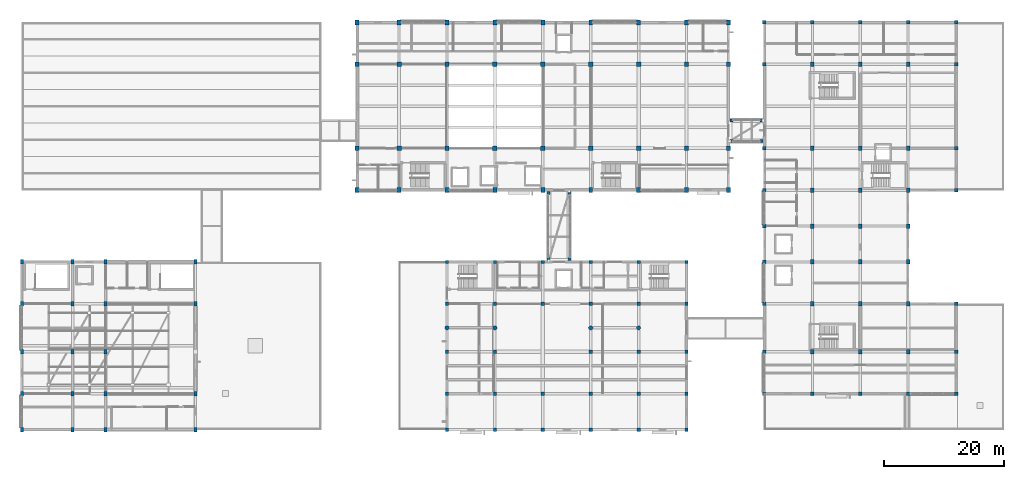
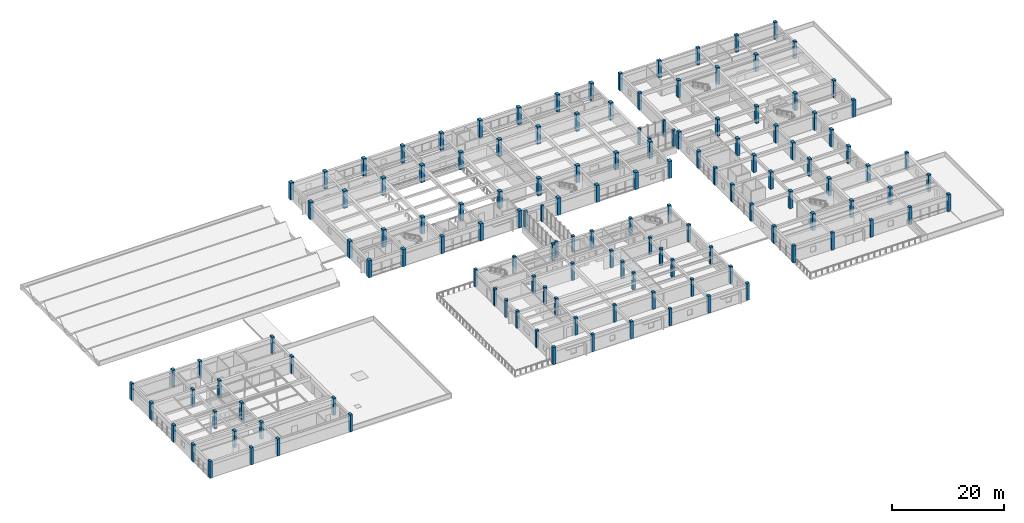
# One storey, part 1 of 42: 139 columns.
"""IFC4 building model written with IfcOpenShell, lengths in metres."""

from ifc_helpers import new_model, si_unit, direction, frame, origin, origin_2d, place, context, subcontext, project, spatial, rectangle, circle, extrude, material, material_profile, profile_set, type_object, element, save


model = new_model("IFC4")

# Units and contexts
model_context = context("Model", 3, precision=1e-05, world=origin(), true_north=direction((0.0, 1.0)))
body_context = subcontext(model_context, "Body", "Model", "MODEL_VIEW")
ifc_project = project(units=[si_unit("LENGTHUNIT", "METRE"), si_unit("AREAUNIT", "SQUARE_METRE"), si_unit("VOLUMEUNIT", "CUBIC_METRE"), si_unit("PLANEANGLEUNIT", "RADIAN"), si_unit("MASSUNIT", "GRAM", prefix="KILO")], contexts=[model_context])

# Site, building, storey
site_placement = place(None, origin())
site = spatial("IfcSite", under=ifc_project, at=site_placement, CompositionType="ELEMENT")
building_placement = place(site_placement, origin())
building = spatial("IfcBuilding", under=site, at=building_placement, Name="Naurynzar Civic Courthouse", CompositionType="ELEMENT")
storey_placement = place(building_placement, frame((0.0, 0.0, 18.300048828125)))
storey = spatial("IfcBuildingStorey", under=building, at=storey_placement, Name="L05", CompositionType="ELEMENT", Elevation=18.300048828125)

# Columns
ifc_material_1 = material(Name="Concrete C40/50", Category="concrete")
ifc_material_profile_1 = material_profile(ifc_material_1, rectangle(XDim=0.5, YDim=0.5, at=origin_2d()), Name="RC 500x500")
ifc_profile_set_1 = profile_set([ifc_material_profile_1], Name="Concrete C40/50")
column_type_1 = type_object("IfcColumnType", Name="COL-RC-500x500", PredefinedType="COLUMN", material=ifc_profile_set_1)
for number, where, z_axis, x_axis, name in (
    (1, (93.969970703125, 32.469970703125, 0.0), (0.0, 0.0, 1.0), (1.0, 0.0, 0.0), "BR-C1 roof portal post 1"),
    (2, (97.429931640625, 32.469970703125, 0.0), (0.0, 0.0, 1.0), (1.0, 0.0, 0.0), "BR-C1 roof portal post 2"),
    (3, (93.969970703125, 43.530029296875, 0.0), (0.0, 0.0, 1.0), (1.0, 0.0, 0.0), "BR-C1 roof portal post 3"),
    (4, (97.429931640625, 43.530029296875, 0.0), (0.0, 0.0, 1.0), (1.0, 0.0, 0.0), "BR-C1 roof portal post 4"),
    (5, (124.469970703125, 52.169921875, 0.0), (0.0, 0.0, 1.0), (1.0, 0.0, 0.0), "BR-E1 roof portal post 1"),
    (6, (129.530029296875, 52.169921875, 0.0), (0.0, 0.0, 1.0), (1.0, 0.0, 0.0), "BR-E1 roof portal post 2"),
    (7, (124.469970703125, 55.6298828125, 0.0), (0.0, 0.0, 1.0), (1.0, 0.0, 0.0), "BR-E1 roof portal post 3"),
    (8, (129.530029296875, 55.6298828125, 0.0), (0.0, 0.0, 1.0), (1.0, 0.0, 0.0), "BR-E1 roof portal post 4"),
):
    element("IfcColumn", number, at=place(storey_placement, frame(where, z_axis=z_axis, x_axis=x_axis)), inside=storey, type_object=column_type_1, Name=name, PredefinedType="COLUMN", context=body_context, shape_type="SweptSolid", body=[
        extrude(rectangle(XDim=0.5, YDim=0.5, at=origin_2d()), origin(), (0.0, 0.0, 1.0), 3.52001953125),
    ])
ifc_material_2 = material(Name="Concrete C40/50", Category="concrete")
ifc_material_profile_2 = material_profile(ifc_material_2, rectangle(XDim=0.5, YDim=0.75, at=origin_2d()), Name="RC 500x750")
ifc_profile_set_2 = profile_set([ifc_material_profile_2], Name="Concrete C40/50")
column_type_2 = type_object("IfcColumnType", Name="COL-RC-500x750", PredefinedType="COLUMN", material=ifc_profile_set_2)
for number, where, z_axis, x_axis, name in (
    (9, (6.0, 4.0, 0.0), (0.0, 0.0, 1.0), (1.0, 0.0, 0.0), "V4 column (6.0,4.0) L05"),
    (10, (6.0, 10.0, 0.0), (0.0, 0.0, 1.0), (1.0, 0.0, 0.0), "V4 column (6.0,10.0) L05"),
    (11, (6.0, 17.0, 0.0), (0.0, 0.0, 1.0), (1.0, 0.0, 0.0), "V4 column (6.0,17.0) L05"),
    (12, (6.0, 25.0, 0.0), (0.0, 0.0, 1.0), (1.0, 0.0, 0.0), "V4 column (6.0,25.0) L05"),
    (13, (6.0, 32.0, 0.0), (0.0, 0.0, 1.0), (1.0, 0.0, 0.0), "V4 column (6.0,32.0) L05"),
    (14, (14.5, 4.0, 0.0), (0.0, 0.0, 1.0), (1.0, 0.0, 0.0), "V4 column (14.5,4.0) L05"),
    (15, (14.5, 10.0, 0.0), (0.0, 0.0, 1.0), (1.0, 0.0, 0.0), "V4 column (14.5,10.0) L05"),
    (16, (14.5, 17.0, 0.0), (0.0, 0.0, 1.0), (1.0, 0.0, 0.0), "V4 column (14.5,17.0) L05"),
    (17, (14.5, 25.0, 0.0), (0.0, 0.0, 1.0), (1.0, 0.0, 0.0), "V4 column (14.5,25.0) L05"),
    (18, (14.5, 32.0, 0.0), (0.0, 0.0, 1.0), (1.0, 0.0, 0.0), "V4 column (14.5,32.0) L05"),
    (19, (20.0, 4.0, 0.0), (0.0, 0.0, 1.0), (1.0, 0.0, 0.0), "V4 column (20.0,4.0) L05"),
    (20, (20.0, 10.0, 0.0), (0.0, 0.0, 1.0), (1.0, 0.0, 0.0), "V4 column (20.0,10.0) L05"),
    (21, (20.0, 17.0, 0.0), (0.0, 0.0, 1.0), (1.0, 0.0, 0.0), "V4 column (20.0,17.0) L05"),
    (22, (20.0, 25.0, 0.0), (0.0, 0.0, 1.0), (1.0, 0.0, 0.0), "V4 column (20.0,25.0) L05"),
    (23, (20.0, 32.0, 0.0), (0.0, 0.0, 1.0), (1.0, 0.0, 0.0), "V4 column (20.0,32.0) L05"),
    (24, (35.0, 4.0, 0.0), (0.0, 0.0, 1.0), (1.0, 0.0, 0.0), "V4 column (35.0,4.0) L05"),
    (25, (35.0, 10.0, 0.0), (0.0, 0.0, 1.0), (1.0, 0.0, 0.0), "V4 column (35.0,10.0) L05"),
    (26, (35.0, 25.0, 0.0), (0.0, 0.0, 1.0), (1.0, 0.0, 0.0), "V4 column (35.0,25.0) L05"),
    (27, (35.0, 32.0, 0.0), (0.0, 0.0, 1.0), (1.0, 0.0, 0.0), "V4 column (35.0,32.0) L05"),
):
    element("IfcColumn", number, at=place(storey_placement, frame(where, z_axis=z_axis, x_axis=x_axis)), inside=storey, type_object=column_type_2, Name=name, PredefinedType="COLUMN", context=body_context, shape_type="SweptSolid", body=[
        extrude(rectangle(XDim=0.5, YDim=0.75, at=origin_2d()), origin(), (0.0, 0.0, 1.0), 3.75),
    ])
ifc_material_3 = material(Name="Concrete C40/50", Category="concrete")
ifc_material_profile_3 = material_profile(ifc_material_3, rectangle(XDim=0.550048828125, YDim=0.550048828125, at=origin_2d()), Name="RC 550x550")
ifc_profile_set_3 = profile_set([ifc_material_profile_3], Name="Concrete C40/50")
column_type_3 = type_object("IfcColumnType", Name="COL-RC-550", PredefinedType="COLUMN", material=ifc_profile_set_3)
for number, where, z_axis, x_axis, name in (
    (28, (77.0, 4.0, 0.0), (0.0, 0.0, 1.0), (1.0, 0.0, 0.0), "V3 column (77.0,4.0) L05"),
    (29, (77.0, 10.0, 0.0), (0.0, 0.0, 1.0), (1.0, 0.0, 0.0), "V3 column (77.0,10.0) L05"),
    (30, (77.0, 17.0, 0.0), (0.0, 0.0, 1.0), (1.0, 0.0, 0.0), "V3 column (77.0,17.0) L05"),
    (31, (77.0, 25.0, 0.0), (0.0, 0.0, 1.0), (1.0, 0.0, 0.0), "V3 column (77.0,25.0) L05"),
    (32, (77.0, 32.0, 0.0), (0.0, 0.0, 1.0), (1.0, 0.0, 0.0), "V3 column (77.0,32.0) L05"),
    (33, (85.0, 4.0, 0.0), (0.0, 0.0, 1.0), (1.0, 0.0, 0.0), "V3 column (85.0,4.0) L05"),
    (34, (85.0, 10.0, 0.0), (0.0, 0.0, 1.0), (1.0, 0.0, 0.0), "V3 column (85.0,10.0) L05"),
    (35, (85.0, 17.0, 0.0), (0.0, 0.0, 1.0), (1.0, 0.0, 0.0), "V3 column (85.0,17.0) L05"),
    (36, (85.0, 25.0, 0.0), (0.0, 0.0, 1.0), (1.0, 0.0, 0.0), "V3 column (85.0,25.0) L05"),
    (37, (85.0, 32.0, 0.0), (0.0, 0.0, 1.0), (1.0, 0.0, 0.0), "V3 column (85.0,32.0) L05"),
    (38, (93.0, 4.0, 0.0), (0.0, 0.0, 1.0), (1.0, 0.0, 0.0), "V3 column (93.0,4.0) L05"),
    (39, (93.0, 10.0, 0.0), (0.0, 0.0, 1.0), (1.0, 0.0, 0.0), "V3 column (93.0,10.0) L05"),
    (40, (93.0, 25.0, 0.0), (0.0, 0.0, 1.0), (1.0, 0.0, 0.0), "V3 column (93.0,25.0) L05"),
    (41, (93.0, 32.0, 0.0), (0.0, 0.0, 1.0), (1.0, 0.0, 0.0), "V3 column (93.0,32.0) L05"),
    (42, (101.0, 4.0, 0.0), (0.0, 0.0, 1.0), (1.0, 0.0, 0.0), "V3 column (101.0,4.0) L05"),
    (43, (101.0, 10.0, 0.0), (0.0, 0.0, 1.0), (1.0, 0.0, 0.0), "V3 column (101.0,10.0) L05"),
    (44, (101.0, 17.0, 0.0), (0.0, 0.0, 1.0), (1.0, 0.0, 0.0), "V3 column (101.0,17.0) L05"),
    (45, (101.0, 25.0, 0.0), (0.0, 0.0, 1.0), (1.0, 0.0, 0.0), "V3 column (101.0,25.0) L05"),
    (46, (101.0, 32.0, 0.0), (0.0, 0.0, 1.0), (1.0, 0.0, 0.0), "V3 column (101.0,32.0) L05"),
    (47, (109.0, 4.0, 0.0), (0.0, 0.0, 1.0), (1.0, 0.0, 0.0), "V3 column (109.0,4.0) L05"),
    (48, (109.0, 10.0, 0.0), (0.0, 0.0, 1.0), (1.0, 0.0, 0.0), "V3 column (109.0,10.0) L05"),
    (49, (109.0, 17.0, 0.0), (0.0, 0.0, 1.0), (1.0, 0.0, 0.0), "V3 column (109.0,17.0) L05"),
    (50, (109.0, 25.0, 0.0), (0.0, 0.0, 1.0), (1.0, 0.0, 0.0), "V3 column (109.0,25.0) L05"),
    (51, (109.0, 32.0, 0.0), (0.0, 0.0, 1.0), (1.0, 0.0, 0.0), "V3 column (109.0,32.0) L05"),
    (52, (117.0, 4.0, 0.0), (0.0, 0.0, 1.0), (1.0, 0.0, 0.0), "V3 column (117.0,4.0) L05"),
    (53, (117.0, 10.0, 0.0), (0.0, 0.0, 1.0), (1.0, 0.0, 0.0), "V3 column (117.0,10.0) L05"),
    (54, (117.0, 17.0, 0.0), (0.0, 0.0, 1.0), (1.0, 0.0, 0.0), "V3 column (117.0,17.0) L05"),
    (55, (117.0, 25.0, 0.0), (0.0, 0.0, 1.0), (1.0, 0.0, 0.0), "V3 column (117.0,25.0) L05"),
    (56, (117.0, 32.0, 0.0), (0.0, 0.0, 1.0), (1.0, 0.0, 0.0), "V3 column (117.0,32.0) L05"),
):
    element("IfcColumn", number, at=place(storey_placement, frame(where, z_axis=z_axis, x_axis=x_axis)), inside=storey, type_object=column_type_3, Name=name, PredefinedType="COLUMN", context=body_context, shape_type="SweptSolid", body=[
        extrude(rectangle(XDim=0.550048828125, YDim=0.550048828125, at=origin_2d()), origin(), (0.0, 0.0, 1.0), 3.75),
    ])
ifc_material_4 = material(Name="Concrete C40/50", Category="concrete")
ifc_material_profile_4 = material_profile(ifc_material_4, rectangle(XDim=0.60009765625, YDim=0.60009765625, at=origin_2d()), Name="RC 600x600")
ifc_profile_set_4 = profile_set([ifc_material_profile_4], Name="Concrete C40/50")
column_type_4 = type_object("IfcColumnType", Name="COL-RC-600", PredefinedType="COLUMN", material=ifc_profile_set_4)
for number, where, z_axis, x_axis, name in (
    (57, (130.0, 10.0, 0.0), (0.0, 0.0, 1.0), (1.0, 0.0, 0.0), "V5 column (130.0,10.0) L05"),
    (58, (130.0, 17.0, 0.0), (0.0, 0.0, 1.0), (1.0, 0.0, 0.0), "V5 column (130.0,17.0) L05"),
    (59, (130.0, 25.0, 0.0), (0.0, 0.0, 1.0), (1.0, 0.0, 0.0), "V5 column (130.0,25.0) L05"),
    (60, (130.0, 32.0, 0.0), (0.0, 0.0, 1.0), (1.0, 0.0, 0.0), "V5 column (130.0,32.0) L05"),
    (61, (130.0, 38.0, 0.0), (0.0, 0.0, 1.0), (1.0, 0.0, 0.0), "V5 column (130.0,38.0) L05"),
    (62, (130.0, 44.0, 0.0), (0.0, 0.0, 1.0), (1.0, 0.0, 0.0), "V5 column (130.0,44.0) L05"),
    (63, (130.0, 51.0, 0.0), (0.0, 0.0, 1.0), (1.0, 0.0, 0.0), "V5 column (130.0,51.0) L05"),
    (64, (130.0, 65.0, 0.0), (0.0, 0.0, 1.0), (1.0, 0.0, 0.0), "V5 column (130.0,65.0) L05"),
    (65, (130.0, 72.0, 0.0), (0.0, 0.0, 1.0), (1.0, 0.0, 0.0), "V5 column (130.0,72.0) L05"),
    (66, (138.0, 10.0, 0.0), (0.0, 0.0, 1.0), (1.0, 0.0, 0.0), "V5 column (138.0,10.0) L05"),
    (67, (138.0, 72.0, 0.0), (0.0, 0.0, 1.0), (1.0, 0.0, 0.0), "V5 column (138.0,72.0) L05"),
    (68, (146.0, 10.0, 0.0), (0.0, 0.0, 1.0), (1.0, 0.0, 0.0), "V5 column (146.0,10.0) L05"),
    (69, (146.0, 72.0, 0.0), (0.0, 0.0, 1.0), (1.0, 0.0, 0.0), "V5 column (146.0,72.0) L05"),
    (70, (154.0, 10.0, 0.0), (0.0, 0.0, 1.0), (1.0, 0.0, 0.0), "V5 column (154.0,10.0) L05"),
    (71, (154.0, 72.0, 0.0), (0.0, 0.0, 1.0), (1.0, 0.0, 0.0), "V5 column (154.0,72.0) L05"),
    (72, (162.0, 10.0, 0.0), (0.0, 0.0, 1.0), (1.0, 0.0, 0.0), "V5 column (162.0,10.0) L05"),
    (73, (162.0, 17.0, 0.0), (0.0, 0.0, 1.0), (1.0, 0.0, 0.0), "V5 column (162.0,17.0) L05"),
    (74, (162.0, 25.0, 0.0), (0.0, 0.0, 1.0), (1.0, 0.0, 0.0), "V5 column (162.0,25.0) L05"),
    (75, (162.0, 44.0, 0.0), (0.0, 0.0, 1.0), (1.0, 0.0, 0.0), "V5 column (162.0,44.0) L05"),
    (76, (162.0, 51.0, 0.0), (0.0, 0.0, 1.0), (1.0, 0.0, 0.0), "V5 column (162.0,51.0) L05"),
    (77, (162.0, 65.0, 0.0), (0.0, 0.0, 1.0), (1.0, 0.0, 0.0), "V5 column (162.0,65.0) L05"),
    (78, (162.0, 72.0, 0.0), (0.0, 0.0, 1.0), (1.0, 0.0, 0.0), "V5 column (162.0,72.0) L05"),
):
    element("IfcColumn", number, at=place(storey_placement, frame(where, z_axis=z_axis, x_axis=x_axis)), inside=storey, type_object=column_type_4, Name=name, PredefinedType="COLUMN", context=body_context, shape_type="SweptSolid", body=[
        extrude(rectangle(XDim=0.60009765625, YDim=0.60009765625, at=origin_2d()), origin(), (0.0, 0.0, 1.0), 3.75),
    ])
ifc_material_5 = material(Name="Concrete C40/50", Category="concrete")
ifc_material_profile_5 = material_profile(ifc_material_5, rectangle(XDim=0.60009765625, YDim=0.75, at=origin_2d()), Name="RC 600x750")
ifc_profile_set_5 = profile_set([ifc_material_profile_5], Name="Concrete C40/50")
column_type_5 = type_object("IfcColumnType", Name="COL-RC-600x750", PredefinedType="COLUMN", material=ifc_profile_set_5)
for number, where, z_axis, x_axis, name in (
    (79, (138.0, 17.0, 0.0), (0.0, 0.0, 1.0), (1.0, 0.0, 0.0), "V5 column (138.0,17.0) L05"),
    (80, (138.0, 25.0, 0.0), (0.0, 0.0, 1.0), (1.0, 0.0, 0.0), "V5 column (138.0,25.0) L05"),
    (81, (138.0, 32.0, 0.0), (0.0, 0.0, 1.0), (1.0, 0.0, 0.0), "V5 column (138.0,32.0) L05"),
    (82, (138.0, 38.0, 0.0), (0.0, 0.0, 1.0), (1.0, 0.0, 0.0), "V5 column (138.0,38.0) L05"),
    (83, (138.0, 44.0, 0.0), (0.0, 0.0, 1.0), (1.0, 0.0, 0.0), "V5 column (138.0,44.0) L05"),
    (84, (138.0, 51.0, 0.0), (0.0, 0.0, 1.0), (1.0, 0.0, 0.0), "V5 column (138.0,51.0) L05"),
    (85, (138.0, 65.0, 0.0), (0.0, 0.0, 1.0), (1.0, 0.0, 0.0), "V5 column (138.0,65.0) L05"),
    (86, (146.0, 17.0, 0.0), (0.0, 0.0, 1.0), (1.0, 0.0, 0.0), "V5 column (146.0,17.0) L05"),
    (87, (146.0, 25.0, 0.0), (0.0, 0.0, 1.0), (1.0, 0.0, 0.0), "V5 column (146.0,25.0) L05"),
    (88, (146.0, 32.0, 0.0), (0.0, 0.0, 1.0), (1.0, 0.0, 0.0), "V5 column (146.0,32.0) L05"),
    (89, (146.0, 38.0, 0.0), (0.0, 0.0, 1.0), (1.0, 0.0, 0.0), "V5 column (146.0,38.0) L05"),
    (90, (146.0, 44.0, 0.0), (0.0, 0.0, 1.0), (1.0, 0.0, 0.0), "V5 column (146.0,44.0) L05"),
    (91, (146.0, 51.0, 0.0), (0.0, 0.0, 1.0), (1.0, 0.0, 0.0), "V5 column (146.0,51.0) L05"),
    (92, (146.0, 65.0, 0.0), (0.0, 0.0, 1.0), (1.0, 0.0, 0.0), "V5 column (146.0,65.0) L05"),
    (93, (154.0, 17.0, 0.0), (0.0, 0.0, 1.0), (1.0, 0.0, 0.0), "V5 column (154.0,17.0) L05"),
    (94, (154.0, 25.0, 0.0), (0.0, 0.0, 1.0), (1.0, 0.0, 0.0), "V5 column (154.0,25.0) L05"),
    (95, (154.0, 32.0, 0.0), (0.0, 0.0, 1.0), (1.0, 0.0, 0.0), "V5 column (154.0,32.0) L05"),
    (96, (154.0, 38.0, 0.0), (0.0, 0.0, 1.0), (1.0, 0.0, 0.0), "V5 column (154.0,38.0) L05"),
    (97, (154.0, 44.0, 0.0), (0.0, 0.0, 1.0), (1.0, 0.0, 0.0), "V5 column (154.0,44.0) L05"),
    (98, (154.0, 51.0, 0.0), (0.0, 0.0, 1.0), (1.0, 0.0, 0.0), "V5 column (154.0,51.0) L05"),
    (99, (154.0, 65.0, 0.0), (0.0, 0.0, 1.0), (1.0, 0.0, 0.0), "V5 column (154.0,65.0) L05"),
):
    element("IfcColumn", number, at=place(storey_placement, frame(where, z_axis=z_axis, x_axis=x_axis)), inside=storey, type_object=column_type_5, Name=name, PredefinedType="COLUMN", context=body_context, shape_type="SweptSolid", body=[
        extrude(rectangle(XDim=0.60009765625, YDim=0.75, at=origin_2d()), origin(), (0.0, 0.0, 1.0), 3.75),
    ])
ifc_material_6 = material(Name="Concrete C40/50", Category="concrete")
ifc_material_profile_6 = material_profile(ifc_material_6, rectangle(XDim=0.64990234375, YDim=0.800048828125, at=origin_2d()), Name="RC 650x800")
ifc_profile_set_6 = profile_set([ifc_material_profile_6], Name="Concrete C40/50")
column_type_6 = type_object("IfcColumnType", Name="COL-RC-650x800", PredefinedType="COLUMN", material=ifc_profile_set_6)
for number, where, z_axis, x_axis, name in (
    (100, (62.0, 44.0, 0.0), (0.0, 0.0, 1.0), (1.0, 0.0, 0.0), "V2 column (62.0,44.0) L05"),
    (101, (62.0, 51.0, 0.0), (0.0, 0.0, 1.0), (1.0, 0.0, 0.0), "V2 column (62.0,51.0) L05"),
    (102, (62.0, 65.0, 0.0), (0.0, 0.0, 1.0), (1.0, 0.0, 0.0), "V2 column (62.0,65.0) L05"),
    (103, (62.0, 72.0, 0.0), (0.0, 0.0, 1.0), (1.0, 0.0, 0.0), "V2 column (62.0,72.0) L05"),
    (104, (69.0, 44.0, 0.0), (0.0, 0.0, 1.0), (1.0, 0.0, 0.0), "V2 column (69.0,44.0) L05"),
    (105, (69.0, 72.0, 0.0), (0.0, 0.0, 1.0), (1.0, 0.0, 0.0), "V2 column (69.0,72.0) L05"),
    (106, (77.0, 44.0, 0.0), (0.0, 0.0, 1.0), (1.0, 0.0, 0.0), "V2 column (77.0,44.0) L05"),
    (107, (77.0, 72.0, 0.0), (0.0, 0.0, 1.0), (1.0, 0.0, 0.0), "V2 column (77.0,72.0) L05"),
    (108, (85.0, 44.0, 0.0), (0.0, 0.0, 1.0), (1.0, 0.0, 0.0), "V2 column (85.0,44.0) L05"),
    (109, (85.0, 72.0, 0.0), (0.0, 0.0, 1.0), (1.0, 0.0, 0.0), "V2 column (85.0,72.0) L05"),
    (110, (93.0, 44.0, 0.0), (0.0, 0.0, 1.0), (1.0, 0.0, 0.0), "V2 column (93.0,44.0) L05"),
    (111, (93.0, 72.0, 0.0), (0.0, 0.0, 1.0), (1.0, 0.0, 0.0), "V2 column (93.0,72.0) L05"),
    (112, (101.0, 44.0, 0.0), (0.0, 0.0, 1.0), (1.0, 0.0, 0.0), "V2 column (101.0,44.0) L05"),
    (113, (101.0, 72.0, 0.0), (0.0, 0.0, 1.0), (1.0, 0.0, 0.0), "V2 column (101.0,72.0) L05"),
    (114, (109.0, 44.0, 0.0), (0.0, 0.0, 1.0), (1.0, 0.0, 0.0), "V2 column (109.0,44.0) L05"),
    (115, (109.0, 72.0, 0.0), (0.0, 0.0, 1.0), (1.0, 0.0, 0.0), "V2 column (109.0,72.0) L05"),
    (116, (117.0, 44.0, 0.0), (0.0, 0.0, 1.0), (1.0, 0.0, 0.0), "V2 column (117.0,44.0) L05"),
    (117, (117.0, 72.0, 0.0), (0.0, 0.0, 1.0), (1.0, 0.0, 0.0), "V2 column (117.0,72.0) L05"),
    (118, (124.0, 44.0, 0.0), (0.0, 0.0, 1.0), (1.0, 0.0, 0.0), "V2 column (124.0,44.0) L05"),
    (119, (124.0, 51.0, 0.0), (0.0, 0.0, 1.0), (1.0, 0.0, 0.0), "V2 column (124.0,51.0) L05"),
    (120, (124.0, 65.0, 0.0), (0.0, 0.0, 1.0), (1.0, 0.0, 0.0), "V2 column (124.0,65.0) L05"),
    (121, (124.0, 72.0, 0.0), (0.0, 0.0, 1.0), (1.0, 0.0, 0.0), "V2 column (124.0,72.0) L05"),
):
    element("IfcColumn", number, at=place(storey_placement, frame(where, z_axis=z_axis, x_axis=x_axis)), inside=storey, type_object=column_type_6, Name=name, PredefinedType="COLUMN", context=body_context, shape_type="SweptSolid", body=[
        extrude(rectangle(XDim=0.64990234375, YDim=0.800048828125, at=origin_2d()), origin(), (0.0, 0.0, 1.0), 3.75),
    ])
ifc_material_7 = material(Name="Concrete C40/50", Category="concrete")
ifc_material_profile_7 = material_profile(ifc_material_7, rectangle(XDim=0.72509765625, YDim=0.72509765625, at=origin_2d()), Name="RC 725x725")
ifc_profile_set_7 = profile_set([ifc_material_profile_7], Name="Concrete C40/50")
column_type_7 = type_object("IfcColumnType", Name="COL-RC-725x725", PredefinedType="COLUMN", material=ifc_profile_set_7)
for number, where, z_axis, x_axis, name in (
    (122, (69.0, 51.0, 0.0), (0.0, 0.0, 1.0), (1.0, 0.0, 0.0), "V2 column (69.0,51.0) L05"),
    (123, (69.0, 65.0, 0.0), (0.0, 0.0, 1.0), (1.0, 0.0, 0.0), "V2 column (69.0,65.0) L05"),
    (124, (77.0, 51.0, 0.0), (0.0, 0.0, 1.0), (1.0, 0.0, 0.0), "V2 column (77.0,51.0) L05"),
    (125, (77.0, 65.0, 0.0), (0.0, 0.0, 1.0), (1.0, 0.0, 0.0), "V2 column (77.0,65.0) L05"),
    (126, (85.0, 51.0, 0.0), (0.0, 0.0, 1.0), (1.0, 0.0, 0.0), "V2 column (85.0,51.0) L05"),
    (127, (85.0, 65.0, 0.0), (0.0, 0.0, 1.0), (1.0, 0.0, 0.0), "V2 column (85.0,65.0) L05"),
    (128, (93.0, 51.0, 0.0), (0.0, 0.0, 1.0), (1.0, 0.0, 0.0), "V2 column (93.0,51.0) L05"),
    (129, (93.0, 65.0, 0.0), (0.0, 0.0, 1.0), (1.0, 0.0, 0.0), "V2 column (93.0,65.0) L05"),
    (130, (101.0, 51.0, 0.0), (0.0, 0.0, 1.0), (1.0, 0.0, 0.0), "V2 column (101.0,51.0) L05"),
    (131, (101.0, 65.0, 0.0), (0.0, 0.0, 1.0), (1.0, 0.0, 0.0), "V2 column (101.0,65.0) L05"),
    (132, (109.0, 51.0, 0.0), (0.0, 0.0, 1.0), (1.0, 0.0, 0.0), "V2 column (109.0,51.0) L05"),
    (133, (109.0, 65.0, 0.0), (0.0, 0.0, 1.0), (1.0, 0.0, 0.0), "V2 column (109.0,65.0) L05"),
    (134, (117.0, 51.0, 0.0), (0.0, 0.0, 1.0), (1.0, 0.0, 0.0), "V2 column (117.0,51.0) L05"),
    (135, (117.0, 65.0, 0.0), (0.0, 0.0, 1.0), (1.0, 0.0, 0.0), "V2 column (117.0,65.0) L05"),
):
    element("IfcColumn", number, at=place(storey_placement, frame(where, z_axis=z_axis, x_axis=x_axis)), inside=storey, type_object=column_type_7, Name=name, PredefinedType="COLUMN", context=body_context, shape_type="SweptSolid", body=[
        extrude(rectangle(XDim=0.72509765625, YDim=0.72509765625, at=origin_2d()), origin(), (0.0, 0.0, 1.0), 3.75),
    ])
ifc_material_8 = material(Name="Concrete C40/50", Category="concrete")
ifc_material_profile_8 = material_profile(ifc_material_8, circle(Radius=0.35009765625, at=origin_2d()), Name="RC D700")
ifc_profile_set_8 = profile_set([ifc_material_profile_8], Name="Concrete C40/50")
column_type_8 = type_object("IfcColumnType", Name="COL-RC-D700", PredefinedType="COLUMN", material=ifc_profile_set_8)
for number, where, z_axis, x_axis, name in (
    (136, (77.0, 21.0, 0.0), (0.0, 0.0, 1.0), (1.0, 0.0, 0.0), "Law Library central spine column 77 L05"),
    (137, (85.0, 21.0, 0.0), (0.0, 0.0, 1.0), (1.0, 0.0, 0.0), "Law Library central spine column 85 L05"),
    (138, (101.0, 21.0, 0.0), (0.0, 0.0, 1.0), (1.0, 0.0, 0.0), "Law Library central spine column 101 L05"),
    (139, (109.0, 21.0, 0.0), (0.0, 0.0, 1.0), (1.0, 0.0, 0.0), "Law Library central spine column 109 L05"),
):
    element("IfcColumn", number, at=place(storey_placement, frame(where, z_axis=z_axis, x_axis=x_axis)), inside=storey, type_object=column_type_8, Name=name, PredefinedType="COLUMN", context=body_context, shape_type="SweptSolid", body=[
        extrude(circle(Radius=0.35009765625, at=origin_2d()), origin(), (0.0, 0.0, 1.0), 3.75),
    ])

save(model, "model.ifc")
